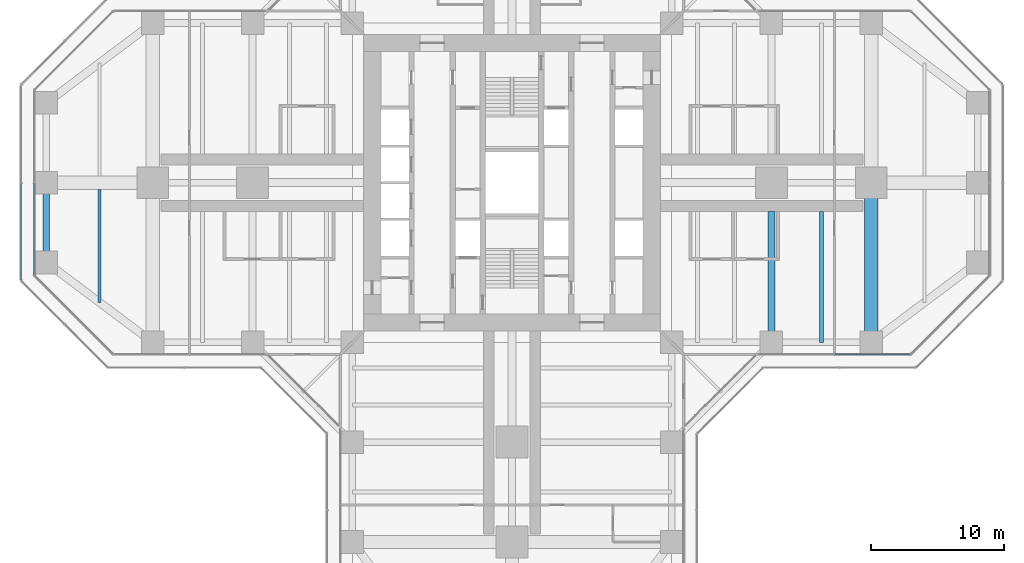
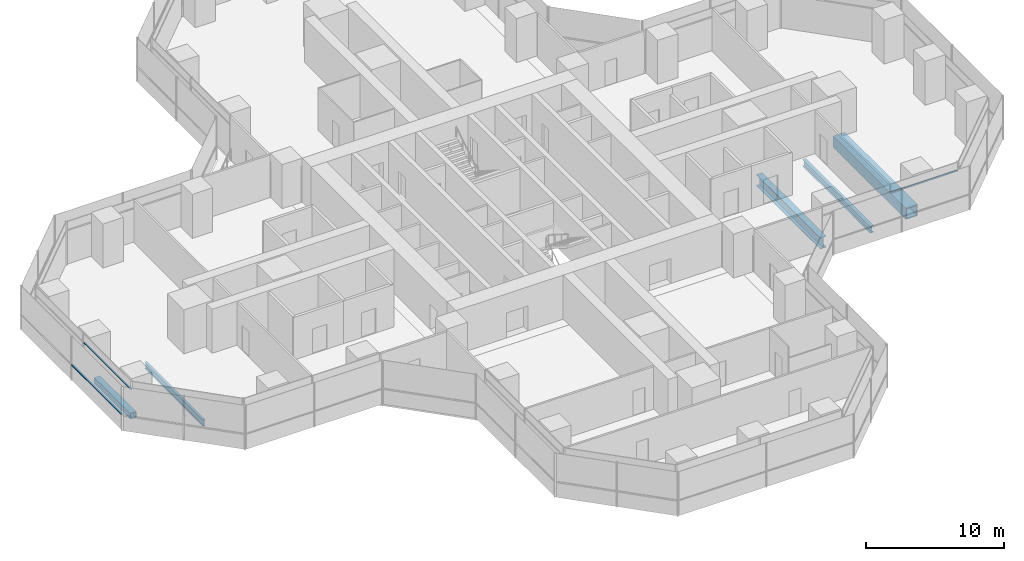
# One storey, part 7 of 22: 5 beams, 3 members, 3 elements without a shape of their own.
"""IFC4 building model written with IfcOpenShell, lengths in metres."""

from ifc_helpers import new_model, si_unit, direction, frame, origin, origin_2d, place, context, subcontext, project, spatial, rectangle, hollow_rectangle, i_section, extrude, material, material_profile, profile_set, type_object, element, aggregate, save


model = new_model("IFC4")

# Units and contexts
model_context = context("Model", 3, precision=1e-05, world=origin(), true_north=direction((0.0, 1.0)))
body_context = subcontext(model_context, "Body", "Model", "MODEL_VIEW")
ifc_project = project(units=[si_unit("LENGTHUNIT", "METRE"), si_unit("AREAUNIT", "SQUARE_METRE"), si_unit("VOLUMEUNIT", "CUBIC_METRE"), si_unit("PLANEANGLEUNIT", "RADIAN"), si_unit("MASSUNIT", "GRAM", prefix="KILO")], contexts=[model_context])

# Site, building, storey
site_placement = place(None, origin())
site = spatial("IfcSite", under=ifc_project, at=site_placement, CompositionType="ELEMENT")
building_placement = place(site_placement, origin())
building = spatial("IfcBuilding", under=site, at=building_placement, Name="Mizan Broadcast Tower", CompositionType="ELEMENT")
storey_placement = place(building_placement, frame((0.0, 0.0, 63.0)))
storey = spatial("IfcBuildingStorey", under=building, at=storey_placement, Name="L12", CompositionType="ELEMENT", Elevation=63.0)

# Beams
ifc_material_1 = material(Name="Steel S355", Category="steel")
ifc_material_profile_1 = material_profile(ifc_material_1, hollow_rectangle(XDim=0.5, YDim=0.5, WallThickness=0.030029296875, at=origin_2d()), Name="BOX 500x500x30")
ifc_profile_set_1 = profile_set([ifc_material_profile_1], Name="Steel S355")
beam_type_1 = type_object("IfcBeamType", Name="EDGE BEAM BOX 500x500x30", PredefinedType="SPANDREL", material=ifc_profile_set_1)
beam_1_placement = place(storey_placement, frame((-35.0, -5.639892578125, -0.3798828125), z_axis=(0.0, 1.0, 0.0), x_axis=(-1.0, 0.0, 0.0)))
element("IfcBeam", 1, at=beam_1_placement, inside=storey, type_object=beam_type_1, Name="Edge beam BOX 500x500x30 L12 west arm", PredefinedType="SPANDREL", context=body_context, shape_type="SweptSolid", body=[
    extrude(hollow_rectangle(XDim=0.5, YDim=0.5, WallThickness=0.030029296875, at=origin_2d()), origin(), (0.0, 0.0, 1.0), 5.27978515625),
])
ifc_material_2 = material(Name="Steel S460", Category="steel")
ifc_material_profile_2 = material_profile(ifc_material_2, hollow_rectangle(XDim=1.0, YDim=1.0, WallThickness=0.080078125, at=origin_2d()), Name="BOX 1000x1000x80")
ifc_profile_set_2 = profile_set([ifc_material_profile_2], Name="Steel S460")
beam_type_2 = type_object("IfcBeamType", Name="GIRDER BOX 1000x1000x80", PredefinedType="BEAM", material=ifc_profile_set_2)
beam_2_placement = place(storey_placement, frame((27.0, -11.280029296875, -0.6298828125), z_axis=(0.0, 1.0, 0.0), x_axis=(-1.0, 0.0, 0.0)))
element("IfcBeam", 2, at=beam_2_placement, inside=storey, type_object=beam_type_2, Name="Girder BOX 1000x1000x80 L12 east arm", PredefinedType="BEAM", context=body_context, shape_type="SweptSolid", body=[
    extrude(hollow_rectangle(XDim=1.0, YDim=1.0, WallThickness=0.080078125, at=origin_2d()), origin(), (0.0, 0.0, 1.0), 10.56005859375),
])
ifc_material_3 = material(Name="Steel S460", Category="steel")
ifc_material_profile_3 = material_profile(ifc_material_3, i_section(OverallWidth=0.5, OverallDepth=1.0, WebThickness=0.02490234375, FlangeThickness=0.050048828125, at=origin_2d()), Name="WPG 1000x500")
ifc_profile_set_3 = profile_set([ifc_material_profile_3], Name="Steel S460")
beam_type_3 = type_object("IfcBeamType", Name="GIRDER WPG 1000x500", PredefinedType="BEAM", material=ifc_profile_set_3)
beam_3_placement = place(storey_placement, frame((19.5, -11.408935546875, -0.6298828125), z_axis=(0.0, 1.0, 0.0), x_axis=(-1.0, 0.0, 0.0)))
element("IfcBeam", 3, at=beam_3_placement, inside=storey, type_object=beam_type_3, Name="Girder WPG 1000x500 L12 east arm", PredefinedType="BEAM", context=body_context, shape_type="SweptSolid", body=[
    extrude(i_section(OverallWidth=0.5, OverallDepth=1.0, WebThickness=0.02490234375, FlangeThickness=0.050048828125, at=origin_2d()), origin(), (0.0, 0.0, 1.0), 9.259033203125),
])

# Curtain wall, member
ifc_material_4 = material(Name="Aluminium framed glazing", Category="aluminium")
curtain_wall_type_1 = type_object("IfcCurtainWallType", Name="INNER SKIN LOW ZONE", PredefinedType="USERDEFINED", material=ifc_material_4)
curtain_wall_1_placement = place(storey_placement, origin())
curtain_wall_1 = element("IfcCurtainWall", 4, at=curtain_wall_1_placement, inside=storey, type_object=curtain_wall_type_1, Name="Inner skin low zone L12 E side", ObjectType="INNER SKIN LOW ZONE", PredefinedType="USERDEFINED")
ifc_material_5 = material(Name="Aluminium, pale anodised", Category="aluminium")
ifc_material_profile_4 = material_profile(ifc_material_5, rectangle(XDim=0.1201171875, YDim=0.06005859375, at=origin_2d()), Name="TRANSOM 120x60")
ifc_profile_set_4 = profile_set([ifc_material_profile_4], Name="Aluminium, pale anodised")
member_type_1 = type_object("IfcMemberType", Name="INNER SKIN TRANSOM 60x120", PredefinedType="USERDEFINED", material=ifc_profile_set_4)
member_1_placement = place(storey_placement, frame((24.25927734375, -12.89990234375, 3.030029296875), z_axis=(1.0, 0.0, 0.0), x_axis=(0.0, 1.0, 0.0)))
member_1 = element("IfcMember", 5, at=member_1_placement, type_object=member_type_1, Name="Inner skin low zone L12 E side transom 2.1", ObjectType="TRANSOM", PredefinedType="USERDEFINED", context=body_context, shape_type="SweptSolid", body=[
    extrude(rectangle(XDim=0.1201171875, YDim=0.06005859375, at=origin_2d()), origin(), (0.0, 0.0, 1.0), 5.639404296875),
])
aggregate(curtain_wall_1, [member_1])

curtain_wall_2_placement = place(storey_placement, origin())
curtain_wall_2 = element("IfcCurtainWall", 6, at=curtain_wall_2_placement, inside=storey, type_object=curtain_wall_type_1, Name="Inner skin low zone L12 W end", ObjectType="INNER SKIN LOW ZONE", PredefinedType="USERDEFINED")
member_2_placement = place(storey_placement, frame((-35.89990234375, -0.030029296875, 3.030029296875), z_axis=(0.0, -1.0, 0.0), x_axis=(1.0, 0.0, 0.0)))
member_2 = element("IfcMember", 7, at=member_2_placement, type_object=member_type_1, Name="Inner skin low zone L12 W end transom 2.1", ObjectType="TRANSOM", PredefinedType="USERDEFINED", context=body_context, shape_type="SweptSolid", body=[
    extrude(rectangle(XDim=0.1201171875, YDim=0.06005859375, at=origin_2d()), origin(), (0.0, 0.0, 1.0), 6.86865234375),
])
aggregate(curtain_wall_2, [member_2])

ifc_material_6 = material(Name="Aluminium framed glazing", Category="aluminium")
curtain_wall_type_2 = type_object("IfcCurtainWallType", Name="OUTER SKIN", PredefinedType="USERDEFINED", material=ifc_material_6)
curtain_wall_3_placement = place(storey_placement, origin())
curtain_wall_3 = element("IfcCurtainWall", 8, at=curtain_wall_3_placement, inside=storey, type_object=curtain_wall_type_2, Name="Outer skin L12 W end", ObjectType="OUTER SKIN", PredefinedType="USERDEFINED")
ifc_material_7 = material(Name="Aluminium, pale anodised", Category="aluminium")
ifc_material_profile_5 = material_profile(ifc_material_7, rectangle(XDim=0.159912109375, YDim=0.06005859375, at=origin_2d()), Name="TRANSOM 160x60")
ifc_profile_set_5 = profile_set([ifc_material_profile_5], Name="Aluminium, pale anodised")
member_type_2 = type_object("IfcMemberType", Name="OUTER SKIN TRANSOM 60x160", PredefinedType="USERDEFINED", material=ifc_profile_set_5)
member_3_placement = place(storey_placement, frame((-36.89990234375, -0.0400390625, 1.39990234375), z_axis=(0.0, -1.0, 0.0), x_axis=(1.0, 0.0, 0.0)))
member_3 = element("IfcMember", 9, at=member_3_placement, type_object=member_type_2, Name="Outer skin L12 W end transom 2.1", ObjectType="TRANSOM", PredefinedType="USERDEFINED", context=body_context, shape_type="SweptSolid", body=[
    extrude(rectangle(XDim=0.159912109375, YDim=0.06005859375, at=origin_2d()), origin(), (0.0, 0.0, 1.0), 7.252685546875),
])
aggregate(curtain_wall_3, [member_3])

# Beams
ifc_material_8 = material(Name="Steel S355", Category="steel")
ifc_material_profile_6 = material_profile(ifc_material_8, i_section(OverallWidth=0.300048828125, OverallDepth=0.590087890625, WebThickness=0.012939453125, FlangeThickness=0.02490234375, FilletRadius=0.027099609375, at=origin_2d()), Name="HEA 600")
ifc_profile_set_6 = profile_set([ifc_material_profile_6], Name="Steel S355")
beam_type_4 = type_object("IfcBeamType", Name="SECONDARY BEAM HEA 600", PredefinedType="JOIST", material=ifc_profile_set_6)
beam_4_placement = place(storey_placement, frame((23.25, -12.0, -0.425048828125), z_axis=(0.0, 1.0, 0.0), x_axis=(-1.0, 0.0, 0.0)))
element("IfcBeam", 10, at=beam_4_placement, inside=storey, type_object=beam_type_4, Name="Secondary beam HEA 600 L12 east arm", PredefinedType="JOIST", context=body_context, shape_type="SweptSolid", body=[
    extrude(i_section(OverallWidth=0.300048828125, OverallDepth=0.590087890625, WebThickness=0.012939453125, FlangeThickness=0.02490234375, FilletRadius=0.027099609375, at=origin_2d()), origin(), (0.0, 0.0, 1.0), 9.85009765625),
])
ifc_material_9 = material(Name="Steel S355", Category="steel")
ifc_material_profile_7 = material_profile(ifc_material_9, i_section(OverallWidth=0.2099609375, OverallDepth=0.550048828125, WebThickness=0.010986328125, FlangeThickness=0.01708984375, FilletRadius=0.02392578125, at=origin_2d()), Name="IPE 550")
ifc_profile_set_7 = profile_set([ifc_material_profile_7], Name="Steel S355")
beam_type_5 = type_object("IfcBeamType", Name="SECONDARY BEAM IPE 550", PredefinedType="JOIST", material=ifc_profile_set_7)
beam_5_placement = place(storey_placement, frame((-31.0, -9.0, -0.405029296875), z_axis=(0.0, 1.0, 0.0), x_axis=(-1.0, 0.0, 0.0)))
element("IfcBeam", 11, at=beam_5_placement, inside=storey, type_object=beam_type_5, Name="Secondary beam IPE 550 L12 west arm", PredefinedType="JOIST", context=body_context, shape_type="SweptSolid", body=[
    extrude(i_section(OverallWidth=0.2099609375, OverallDepth=0.550048828125, WebThickness=0.010986328125, FlangeThickness=0.01708984375, FilletRadius=0.02392578125, at=origin_2d()), origin(), (0.0, 0.0, 1.0), 8.5),
])

save(model, "model.ifc")
